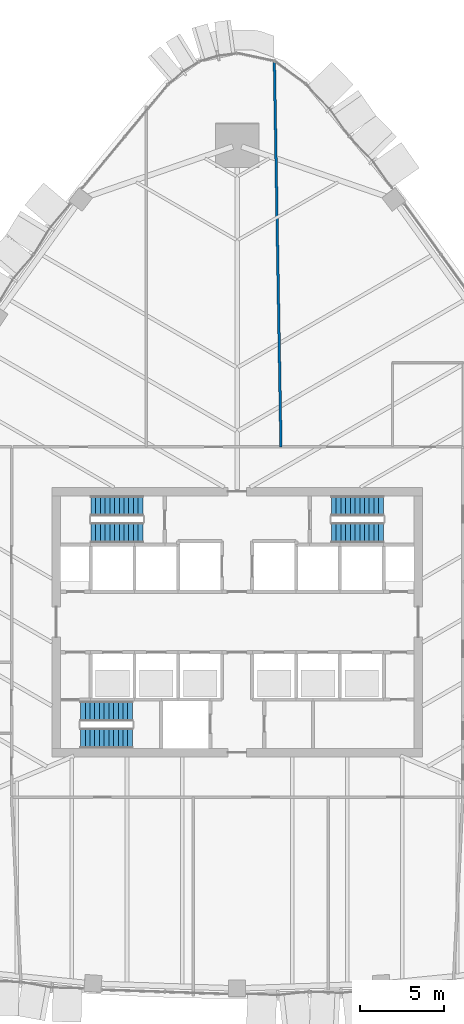
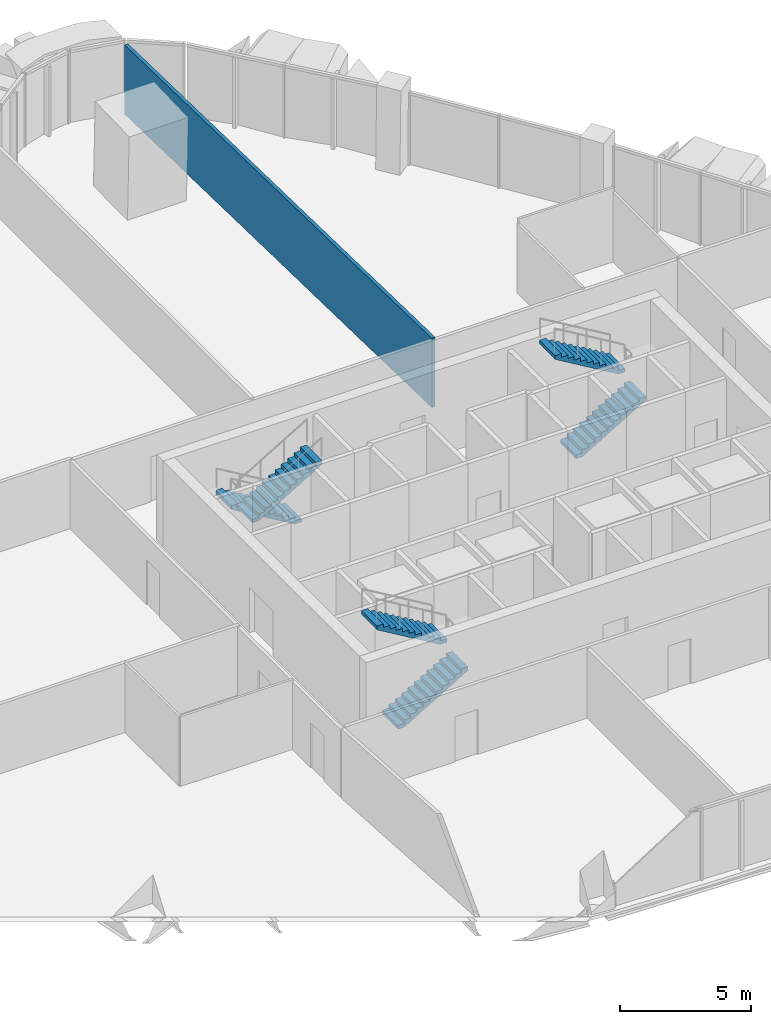
# One storey, part 13 of 17: 6 stair flights, 1 wall, 3 elements without a shape of their own.
"""IFC4 building model written with IfcOpenShell, lengths in metres."""

from ifc_helpers import new_model, si_unit, direction, frame, frame_2d, origin, place, context, subcontext, project, spatial, polyline, rectangle, outline, extrude, material, layer, layer_set, type_object, element, aggregate, save


model = new_model("IFC4")

# Units and contexts
model_context = context("Model", 3, precision=1e-05, world=origin(), true_north=direction((0.0, 1.0)))
body_context = subcontext(model_context, "Body", "Model", "MODEL_VIEW")
ifc_project = project(units=[si_unit("LENGTHUNIT", "METRE"), si_unit("AREAUNIT", "SQUARE_METRE"), si_unit("VOLUMEUNIT", "CUBIC_METRE"), si_unit("PLANEANGLEUNIT", "RADIAN"), si_unit("MASSUNIT", "GRAM", prefix="KILO")], contexts=[model_context])

# Site, building, storey
site_placement = place(None, origin())
site = spatial("IfcSite", under=ifc_project, at=site_placement, CompositionType="ELEMENT")
building_placement = place(site_placement, origin())
building = spatial("IfcBuilding", under=site, at=building_placement, Name="Sierra Prisma Convention Tower", CompositionType="ELEMENT")
storey_placement = place(building_placement, frame((0.0, 0.0, 145.800048828125)))
storey = spatial("IfcBuildingStorey", under=building, at=storey_placement, Name="L31", CompositionType="ELEMENT", Elevation=145.800048828125)

# Wall
ifc_material_1 = material(Name="Gypsum board partition", Category="gypsum")
ifc_layer = layer(ifc_material_1, 0.14990234375)
ifc_layer_set = layer_set([ifc_layer], Name="Party wall 150 gypsum")
wall_type = type_object("IfcWallType", Name="Party wall 150 gypsum", PredefinedType="PARTITIONING", material=ifc_layer_set)
wall_placement = place(storey_placement, frame((2.60009765625, 10.39990234375, 0.0), z_axis=(0.0, 0.0, 1.0), x_axis=(-0.017158794154, 0.999852777054, 0.0)))
element("IfcWall", 1, at=wall_placement, inside=storey, type_object=wall_type, Name="Partition L31 party 6", PredefinedType="PARTITIONING", context=body_context, shape_type="SweptSolid", body=[
    extrude(rectangle(XDim=22.822265625, YDim=0.14990234375, at=frame_2d((11.4111328125, 0.0))), origin(), (0.0, 0.0, 1.0), 3.23388671875),
])

# Stair, stair flights
ifc_material_2 = material(Name="Concrete C30/37", Category="concrete")
stair_type = type_object("IfcStairType", Name="Stair dog-leg 1200 RC", PredefinedType="HALF_TURN_STAIR", material=ifc_material_2)
stair_1_placement = place(storey_placement, origin())
stair_1 = element("IfcStair", 2, at=stair_1_placement, inside=storey, type_object=stair_type, Name="L31 S1", PredefinedType="HALF_TURN_STAIR")
ifc_material_3 = material(Name="Concrete C30/37", Category="concrete")
stair_flight_type = type_object("IfcStairFlightType", Name="Stair flight RC 1200", PredefinedType="STRAIGHT", material=ifc_material_3)
stair_flight_1_placement = place(storey_placement, frame((-9.300048828125, -6.89990234375, 0.0), z_axis=(0.0, 0.0, 1.0), x_axis=(1.0, 0.0, 0.0)))
stair_flight_1 = element("IfcStairFlight", 3, at=stair_flight_1_placement, type_object=stair_flight_type, Name="S1 flight 1", NumberOfRisers=12, NumberOfTreads=11, PredefinedType="STRAIGHT", RiserHeight=0.166666667, TreadLength=0.28, context=body_context, shape_type="SweptSolid", body=[
    extrude(outline(polyline([(0.0, 0.0), (0.0, 0.166748046875), (0.280029296875, 0.166748046875), (0.280029296875, 0.333251953125), (0.56005859375, 0.333251953125), (0.56005859375, 0.5), (0.840087890625, 0.5), (0.840087890625, 0.666748046875), (1.1201171875, 0.666748046875), (1.1201171875, 0.833251953125), (1.39990234375, 0.833251953125), (1.39990234375, 1.0), (1.679931640625, 1.0), (1.679931640625, 1.166748046875), (1.9599609375, 1.166748046875), (1.9599609375, 1.333251953125), (2.239990234375, 1.333251953125), (2.239990234375, 1.5), (2.52001953125, 1.5), (2.52001953125, 1.666748046875), (2.800048828125, 1.666748046875), (2.800048828125, 1.833251953125), (3.080078125, 1.833251953125), (3.080078125, 2.0), (3.080078125, 1.658935546875), (0.29296875, 0.0), (0.0, 0.0)])), frame((0.0, 0.60009765625, 0.0), z_axis=(0.0, -1.0, 0.0), x_axis=(1.0, 0.0, 0.0)), (0.0, 0.0, 1.0), 1.199951171875),
])
stair_flight_2_placement = place(storey_placement, frame((-6.219970703125, -5.300048828125, 2.0), z_axis=(0.0, 0.0, 1.0), x_axis=(-1.0, 0.0, 0.0)))
stair_flight_2 = element("IfcStairFlight", 4, at=stair_flight_2_placement, type_object=stair_flight_type, Name="S1 flight 2", NumberOfRisers=12, NumberOfTreads=11, PredefinedType="STRAIGHT", RiserHeight=0.166666667, TreadLength=0.28, context=body_context, shape_type="SweptSolid", body=[
    extrude(outline(polyline([(0.0, 0.0), (0.0, 0.166748046875), (0.280029296875, 0.166748046875), (0.280029296875, 0.333251953125), (0.56005859375, 0.333251953125), (0.56005859375, 0.5), (0.840087890625, 0.5), (0.840087890625, 0.666748046875), (1.1201171875, 0.666748046875), (1.1201171875, 0.833251953125), (1.39990234375, 0.833251953125), (1.39990234375, 1.0), (1.679931640625, 1.0), (1.679931640625, 1.166748046875), (1.9599609375, 1.166748046875), (1.9599609375, 1.333251953125), (2.239990234375, 1.333251953125), (2.239990234375, 1.5), (2.52001953125, 1.5), (2.52001953125, 1.666748046875), (2.800048828125, 1.666748046875), (2.800048828125, 1.833251953125), (3.080078125, 1.833251953125), (3.080078125, 2.0), (3.080078125, 1.658935546875), (0.29296875, 0.0), (0.0, 0.0)])), frame((0.0, 0.60009765625, 0.0), z_axis=(0.0, -1.0, 0.0), x_axis=(1.0, 0.0, 0.0)), (0.0, 0.0, 1.0), 1.199951171875),
])
aggregate(stair_1, [stair_flight_1, stair_flight_2])

stair_2_placement = place(storey_placement, origin())
stair_2 = element("IfcStair", 5, at=stair_2_placement, inside=storey, type_object=stair_type, Name="L31 S3", PredefinedType="HALF_TURN_STAIR")
stair_flight_3_placement = place(storey_placement, frame((-5.60009765625, 6.89990234375, 0.0), z_axis=(0.0, 0.0, 1.0), x_axis=(-1.0, 0.0, 0.0)))
stair_flight_3 = element("IfcStairFlight", 6, at=stair_flight_3_placement, type_object=stair_flight_type, Name="S3 flight 1", NumberOfRisers=12, NumberOfTreads=11, PredefinedType="STRAIGHT", RiserHeight=0.166666667, TreadLength=0.28, context=body_context, shape_type="SweptSolid", body=[
    extrude(outline(polyline([(0.0, 0.0), (0.0, 0.166748046875), (0.280029296875, 0.166748046875), (0.280029296875, 0.333251953125), (0.56005859375, 0.333251953125), (0.56005859375, 0.5), (0.840087890625, 0.5), (0.840087890625, 0.666748046875), (1.1201171875, 0.666748046875), (1.1201171875, 0.833251953125), (1.39990234375, 0.833251953125), (1.39990234375, 1.0), (1.679931640625, 1.0), (1.679931640625, 1.166748046875), (1.9599609375, 1.166748046875), (1.9599609375, 1.333251953125), (2.239990234375, 1.333251953125), (2.239990234375, 1.5), (2.52001953125, 1.5), (2.52001953125, 1.666748046875), (2.800048828125, 1.666748046875), (2.800048828125, 1.833251953125), (3.080078125, 1.833251953125), (3.080078125, 2.0), (3.080078125, 1.658935546875), (0.29296875, 0.0), (0.0, 0.0)])), frame((0.0, 0.60009765625, 0.0), z_axis=(0.0, -1.0, 0.0), x_axis=(1.0, 0.0, 0.0)), (0.0, 0.0, 1.0), 1.199951171875),
])
stair_flight_4_placement = place(storey_placement, frame((-8.679931640625, 5.300048828125, 2.0), z_axis=(0.0, 0.0, 1.0), x_axis=(1.0, 0.0, 0.0)))
stair_flight_4 = element("IfcStairFlight", 7, at=stair_flight_4_placement, type_object=stair_flight_type, Name="S3 flight 2", NumberOfRisers=12, NumberOfTreads=11, PredefinedType="STRAIGHT", RiserHeight=0.166666667, TreadLength=0.28, context=body_context, shape_type="SweptSolid", body=[
    extrude(outline(polyline([(0.0, 0.0), (0.0, 0.166748046875), (0.280029296875, 0.166748046875), (0.280029296875, 0.333251953125), (0.56005859375, 0.333251953125), (0.56005859375, 0.5), (0.840087890625, 0.5), (0.840087890625, 0.666748046875), (1.1201171875, 0.666748046875), (1.1201171875, 0.833251953125), (1.39990234375, 0.833251953125), (1.39990234375, 1.0), (1.679931640625, 1.0), (1.679931640625, 1.166748046875), (1.9599609375, 1.166748046875), (1.9599609375, 1.333251953125), (2.239990234375, 1.333251953125), (2.239990234375, 1.5), (2.52001953125, 1.5), (2.52001953125, 1.666748046875), (2.800048828125, 1.666748046875), (2.800048828125, 1.833251953125), (3.080078125, 1.833251953125), (3.080078125, 2.0), (3.080078125, 1.658935546875), (0.29296875, 0.0), (0.0, 0.0)])), frame((0.0, 0.60009765625, 0.0), z_axis=(0.0, -1.0, 0.0), x_axis=(1.0, 0.0, 0.0)), (0.0, 0.0, 1.0), 1.199951171875),
])
aggregate(stair_2, [stair_flight_3, stair_flight_4])

stair_3_placement = place(storey_placement, origin())
stair_3 = element("IfcStair", 8, at=stair_3_placement, inside=storey, type_object=stair_type, Name="L31 S4", PredefinedType="HALF_TURN_STAIR")
stair_flight_5_placement = place(storey_placement, frame((5.60009765625, 5.300048828125, 0.0), z_axis=(0.0, 0.0, 1.0), x_axis=(1.0, 0.0, 0.0)))
stair_flight_5 = element("IfcStairFlight", 9, at=stair_flight_5_placement, type_object=stair_flight_type, Name="S4 flight 1", NumberOfRisers=12, NumberOfTreads=11, PredefinedType="STRAIGHT", RiserHeight=0.166666667, TreadLength=0.28, context=body_context, shape_type="SweptSolid", body=[
    extrude(outline(polyline([(0.0, 0.0), (0.0, 0.166748046875), (0.280029296875, 0.166748046875), (0.280029296875, 0.333251953125), (0.56005859375, 0.333251953125), (0.56005859375, 0.5), (0.840087890625, 0.5), (0.840087890625, 0.666748046875), (1.1201171875, 0.666748046875), (1.1201171875, 0.833251953125), (1.39990234375, 0.833251953125), (1.39990234375, 1.0), (1.679931640625, 1.0), (1.679931640625, 1.166748046875), (1.9599609375, 1.166748046875), (1.9599609375, 1.333251953125), (2.239990234375, 1.333251953125), (2.239990234375, 1.5), (2.52001953125, 1.5), (2.52001953125, 1.666748046875), (2.800048828125, 1.666748046875), (2.800048828125, 1.833251953125), (3.080078125, 1.833251953125), (3.080078125, 2.0), (3.080078125, 1.658935546875), (0.29296875, 0.0), (0.0, 0.0)])), frame((0.0, 0.60009765625, 0.0), z_axis=(0.0, -1.0, 0.0), x_axis=(1.0, 0.0, 0.0)), (0.0, 0.0, 1.0), 1.199951171875),
])
stair_flight_6_placement = place(storey_placement, frame((8.679931640625, 6.89990234375, 2.0), z_axis=(0.0, 0.0, 1.0), x_axis=(-1.0, 0.0, 0.0)))
stair_flight_6 = element("IfcStairFlight", 10, at=stair_flight_6_placement, type_object=stair_flight_type, Name="S4 flight 2", NumberOfRisers=12, NumberOfTreads=11, PredefinedType="STRAIGHT", RiserHeight=0.166666667, TreadLength=0.28, context=body_context, shape_type="SweptSolid", body=[
    extrude(outline(polyline([(0.0, 0.0), (0.0, 0.166748046875), (0.280029296875, 0.166748046875), (0.280029296875, 0.333251953125), (0.56005859375, 0.333251953125), (0.56005859375, 0.5), (0.840087890625, 0.5), (0.840087890625, 0.666748046875), (1.1201171875, 0.666748046875), (1.1201171875, 0.833251953125), (1.39990234375, 0.833251953125), (1.39990234375, 1.0), (1.679931640625, 1.0), (1.679931640625, 1.166748046875), (1.9599609375, 1.166748046875), (1.9599609375, 1.333251953125), (2.239990234375, 1.333251953125), (2.239990234375, 1.5), (2.52001953125, 1.5), (2.52001953125, 1.666748046875), (2.800048828125, 1.666748046875), (2.800048828125, 1.833251953125), (3.080078125, 1.833251953125), (3.080078125, 2.0), (3.080078125, 1.658935546875), (0.29296875, 0.0), (0.0, 0.0)])), frame((0.0, 0.60009765625, 0.0), z_axis=(0.0, -1.0, 0.0), x_axis=(1.0, 0.0, 0.0)), (0.0, 0.0, 1.0), 1.199951171875),
])
aggregate(stair_3, [stair_flight_5, stair_flight_6])

save(model, "model.ifc")
